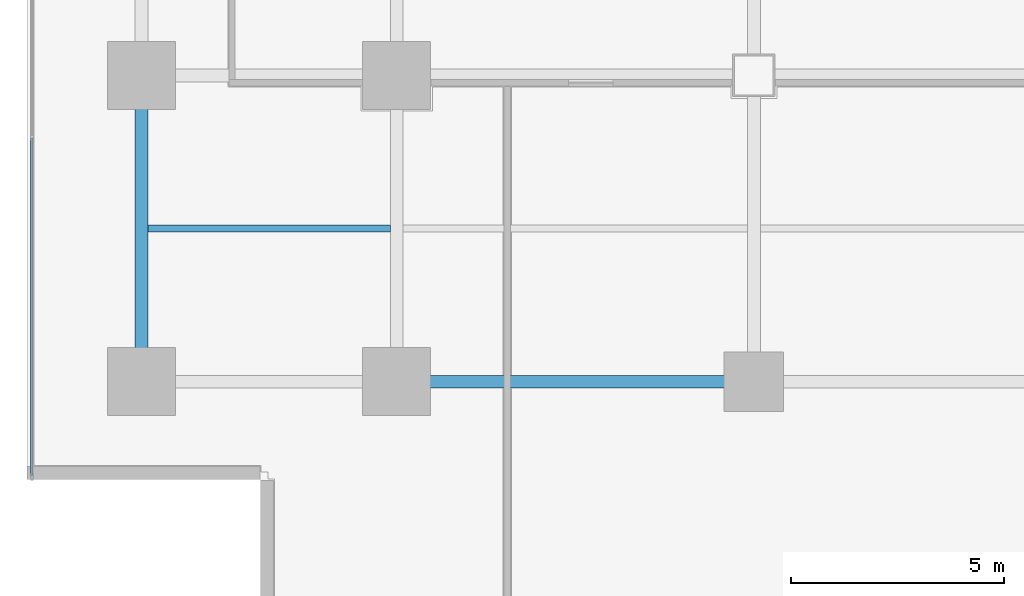
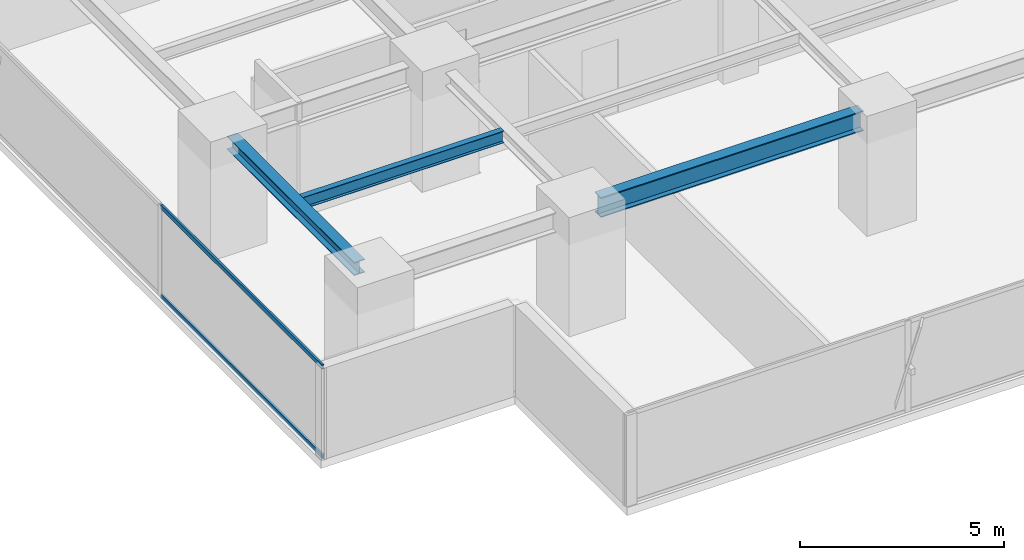
# One storey, part 3 of 34: 3 beams, 2 members, 1 element without a shape of its own.
"""IFC4 building model written with IfcOpenShell, lengths in metres."""

from ifc_helpers import new_model, si_unit, direction, frame, origin, origin_2d, place, context, subcontext, project, spatial, hollow_rectangle, i_section, extrude, source, transform, mapped, material, layer, layer_set, material_profile, profile_set, type_object, element, aggregate, save


model = new_model("IFC4")

# Units and contexts
model_context = context("Model", 3, precision=1e-05, world=origin(), true_north=direction((0.0, 1.0)))
body_context = subcontext(model_context, "Body", "Model", "MODEL_VIEW")
ifc_project = project(units=[si_unit("LENGTHUNIT", "METRE"), si_unit("AREAUNIT", "SQUARE_METRE"), si_unit("VOLUMEUNIT", "CUBIC_METRE"), si_unit("PLANEANGLEUNIT", "RADIAN"), si_unit("MASSUNIT", "GRAM", prefix="KILO")], contexts=[model_context])

# Site, building, storey
site_placement = place(None, origin())
site = spatial("IfcSite", under=ifc_project, at=site_placement, CompositionType="ELEMENT")
building_placement = place(site_placement, origin())
building = spatial("IfcBuilding", under=site, at=building_placement, Name="Sumidabori Civic Tower", CompositionType="ELEMENT")
storey_placement = place(building_placement, frame((0.0, 0.0, 99.199951171875)))
storey = spatial("IfcBuildingStorey", under=building, at=storey_placement, Name="L25", CompositionType="ELEMENT", Elevation=99.199951171875)

# Beams
ifc_material_1 = material(Name="Steel SN490", Category="steel")
ifc_material_profile_1 = material_profile(ifc_material_1, i_section(OverallWidth=0.300048828125, OverallDepth=0.60009765625, WebThickness=0.015380859375, FlangeThickness=0.030029296875, at=origin_2d()), Name="HE 600 B")
ifc_profile_set_1 = profile_set([ifc_material_profile_1], Name="Steel SN490")
beam_type_1 = type_object("IfcBeamType", Name="BM-GIRD-600", PredefinedType="BEAM", material=ifc_profile_set_1)
shared_shape_1 = source(origin(), body_context, "Body", "SweptSolid", [
    extrude(i_section(OverallWidth=0.300048828125, OverallDepth=0.60009765625, WebThickness=0.015380859375, FlangeThickness=0.030029296875, at=origin_2d()), origin(), (0.0, 0.0, 1.0), 7.440185546875),
])
beam_1_placement = place(storey_placement, frame((-16.320068359375, -18.0, 3.06005859375), z_axis=(1.0, 0.0, 0.0), x_axis=(0.0, 1.0, 0.0)))
element("IfcBeam", 1, at=beam_1_placement, inside=storey, type_object=beam_type_1, Name="Primary Girder L25 GX-02", PredefinedType="BEAM", context=body_context, shape_type="MappedRepresentation", body=[
    mapped(shared_shape_1, transform((0.0, 0.0, 0.0), x_axis=(1.0, 0.0, 0.0), y_axis=(0.0, 1.0, 0.0), z_axis=(0.0, 0.0, 1.0), scale=1.0)),
])
ifc_material_profile_2 = material_profile(ifc_material_1, i_section(OverallWidth=0.300048828125, OverallDepth=0.39990234375, WebThickness=0.013427734375, FlangeThickness=0.02392578125, at=origin_2d()), Name="HE 400 B")
ifc_profile_set_2 = profile_set([ifc_material_profile_2], Name="Steel SN490")
beam_type_2 = type_object("IfcBeamType", Name="BM-GIRD-400", PredefinedType="BEAM", material=ifc_profile_set_2)
shared_shape_2 = source(origin(), body_context, "Body", "SweptSolid", [
    extrude(i_section(OverallWidth=0.300048828125, OverallDepth=0.39990234375, WebThickness=0.013427734375, FlangeThickness=0.02392578125, at=origin_2d()), origin(), (0.0, 0.0, 1.0), 6.239990234375),
])
beam_2_placement = place(storey_placement, frame((-22.800048828125, -17.52001953125, 3.16015625), z_axis=(0.0, 1.0, 0.0), x_axis=(-1.0, 0.0, 0.0)))
element("IfcBeam", 2, at=beam_2_placement, inside=storey, type_object=beam_type_2, Name="Primary Girder L25 GY-21", PredefinedType="BEAM", context=body_context, shape_type="MappedRepresentation", body=[
    mapped(shared_shape_2, transform((0.0, 0.0, 0.0), x_axis=(1.0, 0.0, 0.0), y_axis=(0.0, 1.0, 0.0), z_axis=(0.0, 0.0, 1.0), scale=1.0)),
])
ifc_material_profile_3 = material_profile(ifc_material_1, i_section(OverallWidth=0.169921875, OverallDepth=0.360107421875, WebThickness=0.008056640625, FlangeThickness=0.0126953125, at=origin_2d()), Name="IPE 360")
ifc_profile_set_3 = profile_set([ifc_material_profile_3], Name="Steel SN490")
beam_type_3 = type_object("IfcBeamType", Name="BM-JST-360", PredefinedType="JOIST", material=ifc_profile_set_3)
shared_shape_3 = source(origin(), body_context, "Body", "SweptSolid", [
    extrude(i_section(OverallWidth=0.169921875, OverallDepth=0.360107421875, WebThickness=0.008056640625, FlangeThickness=0.0126953125, at=origin_2d()), origin(), (0.0, 0.0, 1.0), 5.699951171875),
])
beam_3_placement = place(storey_placement, frame((-22.64990234375, -14.39990234375, 3.179931640625), z_axis=(1.0, 0.0, 0.0), x_axis=(0.0, 1.0, 0.0)))
element("IfcBeam", 3, at=beam_3_placement, inside=storey, type_object=beam_type_3, Name="Outer Bay Floor Joist L25 JSTO-51", PredefinedType="JOIST", context=body_context, shape_type="MappedRepresentation", body=[
    mapped(shared_shape_3, transform((0.0, 0.0, 0.0), x_axis=(1.0, 0.0, 0.0), y_axis=(0.0, 1.0, 0.0), z_axis=(0.0, 0.0, 1.0), scale=1.0)),
])

# Curtain wall, members
ifc_material_2 = material(Name="Anodised Bronze Aluminium AW-6063-T6", Category="aluminium")
ifc_layer = layer(ifc_material_2, 0.179931640625, Name="Anodised Bronze Aluminium AW-6063-T6")
ifc_layer_set = layer_set([ifc_layer], Name="Anodised Bronze Aluminium AW-6063-T6")
curtain_wall_type = type_object("IfcCurtainWallType", Name="CW-SYS-3", PredefinedType="NOTDEFINED", material=ifc_layer_set)
curtain_wall_placement = place(storey_placement, origin())
curtain_wall = element("IfcCurtainWall", 4, at=curtain_wall_placement, inside=storey, type_object=curtain_wall_type, Name="Curtain Wall CW:L25:R10", PredefinedType="NOTDEFINED")
ifc_material_profile_4 = material_profile(ifc_material_2, hollow_rectangle(XDim=0.06005859375, YDim=0.1298828125, WallThickness=0.0048828125, at=origin_2d()), Name="ALU TRANSOM 130x60")
ifc_profile_set_4 = profile_set([ifc_material_profile_4], Name="Anodised Bronze Aluminium AW-6063-T6")
member_type = type_object("IfcMemberType", Name="CW-TRN-130", PredefinedType="USERDEFINED", material=ifc_profile_set_4)
shared_shape_4 = source(origin(), body_context, "Body", "SweptSolid", [
    extrude(hollow_rectangle(XDim=0.06005859375, YDim=0.1298828125, WallThickness=0.0048828125, at=origin_2d()), origin(), (0.0, 0.0, 1.0), 7.9306640625),
])
member_1_placement = place(storey_placement, frame((-25.3798828125, -12.2744140625, 0.030029296875), z_axis=(0.0, -1.0, 0.0), x_axis=(1.0, 0.0, 0.0)))
member_1 = element("IfcMember", 5, at=member_1_placement, type_object=member_type, Name="CW-3 transom 5.1", ObjectType="TRANSOM", PredefinedType="USERDEFINED", context=body_context, shape_type="MappedRepresentation", body=[
    mapped(shared_shape_4, transform((0.0, 0.0, 0.0), x_axis=(1.0, 0.0, 0.0), y_axis=(0.0, 1.0, 0.0), z_axis=(0.0, 0.0, 1.0), scale=1.0)),
])
member_2_placement = place(storey_placement, frame((-25.3798828125, -12.2744140625, 2.7099609375), z_axis=(0.0, -1.0, 0.0), x_axis=(1.0, 0.0, 0.0)))
member_2 = element("IfcMember", 6, at=member_2_placement, type_object=member_type, Name="CW-3 transom 5.2", ObjectType="TRANSOM", PredefinedType="USERDEFINED", context=body_context, shape_type="MappedRepresentation", body=[
    mapped(shared_shape_4, transform((0.0, 0.0, 0.0), x_axis=(1.0, 0.0, 0.0), y_axis=(0.0, 1.0, 0.0), z_axis=(0.0, 0.0, 1.0), scale=1.0)),
])
aggregate(curtain_wall, [member_1, member_2])

save(model, "model.ifc")
